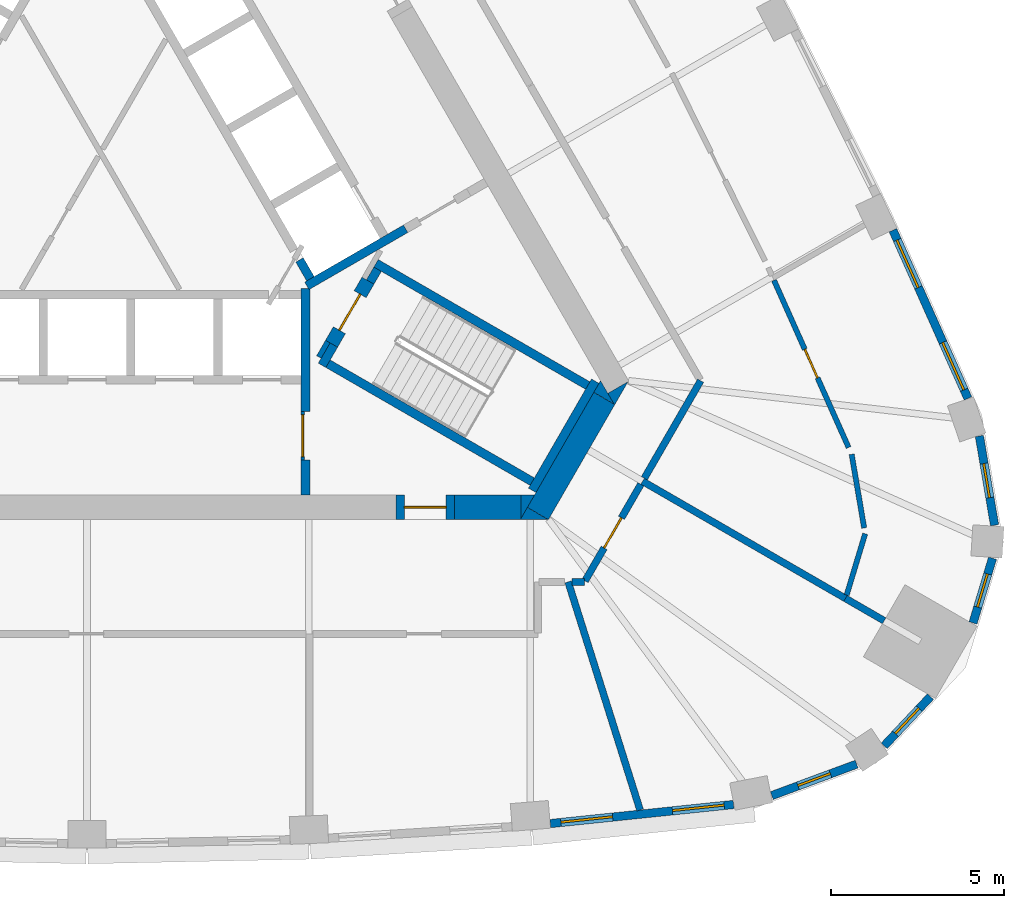
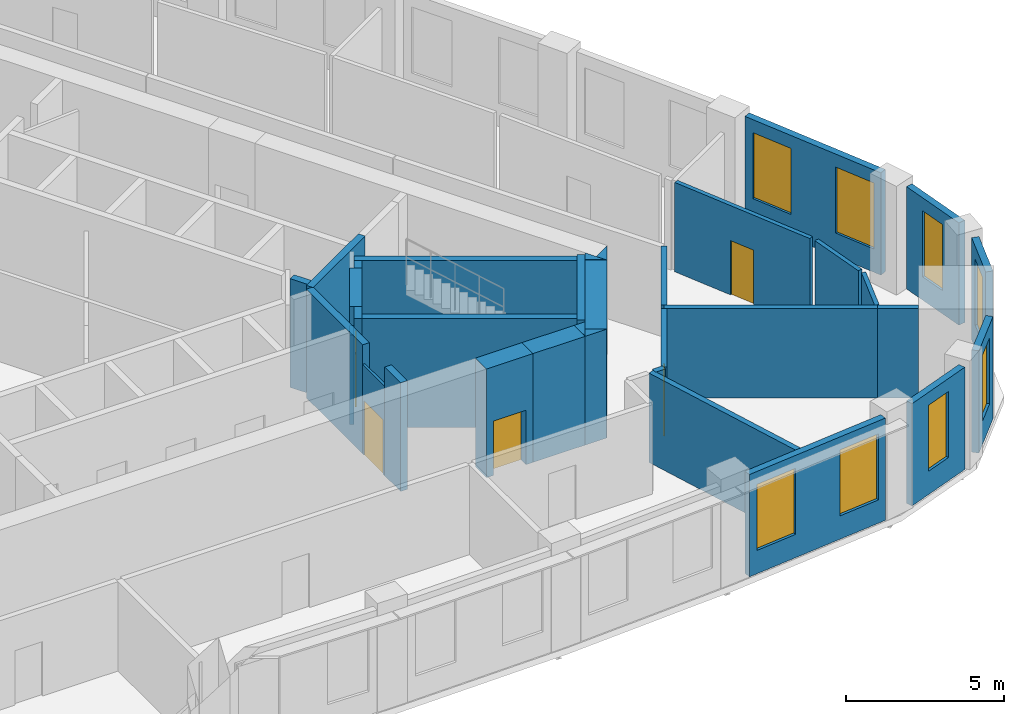
# One storey, part 6 of 11: 34 walls, 8 windows, 5 doors, 13 openings.
"""IFC4 building model written with IfcOpenShell, lengths in metres."""

from ifc_helpers import new_model, si_unit, direction, frame, frame_2d, origin, place, context, subcontext, project, spatial, polyline, rectangle, outline, extrude, material, layer, layer_set, type_object, element, fill, save


model = new_model("IFC4")

# Units and contexts
model_context = context("Model", 3, precision=1e-05, world=origin(), true_north=direction((0.0, 1.0)))
body_context = subcontext(model_context, "Body", "Model", "MODEL_VIEW")
ifc_project = project(units=[si_unit("LENGTHUNIT", "METRE"), si_unit("AREAUNIT", "SQUARE_METRE"), si_unit("VOLUMEUNIT", "CUBIC_METRE"), si_unit("PLANEANGLEUNIT", "RADIAN"), si_unit("MASSUNIT", "GRAM", prefix="KILO")], contexts=[model_context])

# Site, building, storey
site_placement = place(None, origin())
site = spatial("IfcSite", under=ifc_project, at=site_placement, CompositionType="ELEMENT")
building_placement = place(site_placement, origin())
building = spatial("IfcBuilding", under=site, at=building_placement, Name="Mestral Congress Tower", CompositionType="ELEMENT")
storey_placement = place(building_placement, frame((0.0, 0.0, 201.60009765625)))
storey = spatial("IfcBuildingStorey", under=building, at=storey_placement, Name="L47", CompositionType="ELEMENT", Elevation=201.60009765625)

# Wall
ifc_material_1 = material(Name="Fire-rated board partition")
ifc_layer_1 = layer(ifc_material_1, 0.14990234375)
ifc_layer_set_1 = layer_set([ifc_layer_1], Name="Fire-rated board partition")
wall_type_1 = type_object("IfcWallType", Name="Core partition 150", PredefinedType="PARTITIONING", material=ifc_layer_set_1)
wall_1_placement = place(storey_placement, frame((6.94482421875, -5.22216796875, 0.0), z_axis=(0.0, 0.0, 1.0), x_axis=(-0.499818422106, -0.866130212453, 0.0)))
element("IfcWall", 1, at=wall_1_placement, inside=storey, type_object=wall_type_1, Name="L47 core wall", PredefinedType="PARTITIONING", context=body_context, shape_type="SweptSolid", body=[
    extrude(rectangle(XDim=0.513916015625, YDim=0.14990234375, at=frame_2d((0.2568359375, 0.0))), origin(), (0.0, 0.0, 1.0), 3.449951171875),
])

# Wall, opening, door
ifc_layer_2 = layer(ifc_material_1, 0.090087890625)
ifc_layer_set_2 = layer_set([ifc_layer_2], Name="Fire-rated board partition")
wall_type_2 = type_object("IfcWallType", Name="Core partition 150 door-wall 90", PredefinedType="PARTITIONING", material=ifc_layer_set_2)
wall_2_placement = place(storey_placement, frame((6.219970703125, -7.23681640625, 0.0), z_axis=(0.0, 0.0, 1.0), x_axis=(0.0, -1.0, 0.0)))
wall_2 = element("IfcWall", 2, at=wall_2_placement, inside=storey, type_object=wall_type_2, Name="L47 door wall", PredefinedType="PARTITIONING", context=body_context, shape_type="SweptSolid", body=[
    extrude(rectangle(XDim=1.400146484375, YDim=0.090087890625, at=frame_2d((0.7001953125, 0.0))), origin(), (0.0, 0.0, 1.0), 3.449951171875),
])
opening_1_placement = place(wall_2_placement, frame((0.10009765625, 0.0, 0.0)))
opening_1 = element("IfcOpeningElement", 3, at=opening_1_placement, cuts=wall_2, Name="Opening LB0-WL1", PredefinedType="OPENING", context=body_context, shape_type="SweptSolid", body=[
    extrude(rectangle(XDim=1.199951171875, YDim=2.10009765625, at=frame_2d((0.60009765625, 1.050048828125))), frame((0.0, 0.054931640625, 0.0), z_axis=(0.0, -1.0, 0.0), x_axis=(1.0, 0.0, 0.0)), (0.0, 0.0, 1.0), 0.110107421875),
])
ifc_material_2 = material(Name="Fire-rated steel door set", Category="steel")
door_type_1 = type_object("IfcDoorType", Name="Core door LB 1200x2100", OperationType="SINGLE_SWING_LEFT", PredefinedType="DOOR", material=ifc_material_2)
door_1_placement = place(opening_1_placement, origin())
door_1 = element("IfcDoor", 4, at=door_1_placement, inside=storey, type_object=door_type_1, Name="Door LB0-WL1", OperationType="SINGLE_SWING_LEFT", OverallHeight=2.10009765625, OverallWidth=1.199951171875, PredefinedType="DOOR", context=body_context, shape_type="SweptSolid", body=[
    extrude(rectangle(XDim=1.199951171875, YDim=2.10009765625, at=frame_2d((0.60009765625, 1.050048828125))), frame((0.0, 0.02490234375, 0.0), z_axis=(0.0, -1.0, 0.0), x_axis=(1.0, 0.0, 0.0)), (0.0, 0.0, 1.0), 0.050048828125),
])
fill(opening_1, door_1)

# Walls
ifc_material_3 = material(Name="Concrete C60/75", Category="concrete")
ifc_layer_3 = layer(ifc_material_3, 0.699951171875)
ifc_layer_set_3 = layer_set([ifc_layer_3], Name="Concrete C60/75")
wall_type_3 = type_object("IfcWallType", Name="Core wall RC 700", PredefinedType="SOLIDWALL", material=ifc_layer_set_3)
placement = place(storey_placement, origin())
element("IfcWall", 5, at=placement, inside=storey, type_object=wall_type_3, Name="L47 core wall", PredefinedType="SOLIDWALL", context=body_context, shape_type="SweptSolid", body=[
    extrude(outline(polyline([(15.213134765625, -7.050048828125), (15.019287109375, -6.714111328125), (15.60107421875, -6.3779296875), (15.213134765625, -7.050048828125)])), origin(), (0.0, 0.0, 1.0), 4.199951171875),
])
wall_4_placement = place(storey_placement, frame((13.002685546875, -10.1787109375, 0.0), z_axis=(0.0, 0.0, 1.0), x_axis=(0.499972675833, 0.866041178825, 0.0)))
element("IfcWall", 6, at=wall_4_placement, inside=storey, type_object=wall_type_3, Name="L47 core wall", PredefinedType="SOLIDWALL", context=body_context, shape_type="SweptSolid", body=[
    extrude(rectangle(XDim=3.828857421875, YDim=0.699951171875, at=frame_2d((1.91455078125, 0.0))), origin(), (0.0, 0.0, 1.0), 4.199951171875),
])
element("IfcWall", 7, at=placement, inside=storey, type_object=wall_type_3, Name="L47 core wall", PredefinedType="SOLIDWALL", context=body_context, shape_type="SweptSolid", body=[
    extrude(outline(polyline([(12.49951171875, -10.35009765625), (12.698486328125, -10.00537109375), (13.295654296875, -10.35009765625), (12.49951171875, -10.35009765625)])), origin(), (0.0, 0.0, 1.0), 4.199951171875),
])
element("IfcWall", 8, at=placement, inside=storey, type_object=wall_type_3, Name="L47 core wall", PredefinedType="SOLIDWALL", context=body_context, shape_type="SweptSolid", body=[
    extrude(outline(polyline([(14.80908203125, -6.35009765625), (15.197265625, -7.022216796875), (14.614990234375, -6.68603515625), (14.80908203125, -6.35009765625)])), origin(), (0.0, 0.0, 1.0), 4.199951171875),
])
wall_7_placement = place(storey_placement, frame((10.6044921875, -10.0, 0.0), z_axis=(0.0, 0.0, 1.0), x_axis=(1.0, 0.0, 0.0)))
element("IfcWall", 9, at=wall_7_placement, inside=storey, type_object=wall_type_3, Name="L47 core wall", PredefinedType="SOLIDWALL", context=body_context, shape_type="SweptSolid", body=[
    extrude(rectangle(XDim=1.909423828125, YDim=0.699951171875, at=frame_2d((0.95458984375, 0.0))), origin(), (0.0, 0.0, 1.0), 4.199951171875),
])
element("IfcWall", 10, at=placement, inside=storey, type_object=wall_type_3, Name="L47 core wall", PredefinedType="SOLIDWALL", context=body_context, shape_type="SweptSolid", body=[
    extrude(outline(polyline([(12.90380859375, -9.64990234375), (12.515869140625, -10.322021484375), (12.515869140625, -9.64990234375), (12.90380859375, -9.64990234375)])), origin(), (0.0, 0.0, 1.0), 4.199951171875),
])

# Wall, opening, door
wall_9_placement = place(storey_placement, frame((10.6044921875, -10.0, 0.0), z_axis=(0.0, 0.0, 1.0), x_axis=(-1.0, 0.0, 0.0)))
wall_9 = element("IfcWall", 11, at=wall_9_placement, inside=storey, type_object=wall_type_3, Name="L47 door wall", PredefinedType="SOLIDWALL", context=body_context, shape_type="SweptSolid", body=[
    extrude(rectangle(XDim=1.699951171875, YDim=0.699951171875, at=frame_2d((0.85009765625, 0.0))), origin(), (0.0, 0.0, 1.0), 4.199951171875),
])
opening_2_placement = place(wall_9_placement, frame((0.25, 0.0, 0.0)))
opening_2 = element("IfcOpeningElement", 12, at=opening_2_placement, cuts=wall_9, Name="Opening XD1", PredefinedType="OPENING", context=body_context, shape_type="SweptSolid", body=[
    extrude(rectangle(XDim=1.199951171875, YDim=2.10009765625, at=frame_2d((0.60009765625, 1.050048828125))), frame((0.0, 0.35986328125, 0.0), z_axis=(0.0, -1.0, 0.0), x_axis=(1.0, 0.0, 0.0)), (0.0, 0.0, 1.0), 0.719970703125),
])
door_type_2 = type_object("IfcDoorType", Name="Core door XD 1200x2100", OperationType="SINGLE_SWING_LEFT", PredefinedType="DOOR", material=ifc_material_2)
door_2_placement = place(opening_2_placement, origin())
door_2 = element("IfcDoor", 13, at=door_2_placement, inside=storey, type_object=door_type_2, Name="Door XD1", OperationType="SINGLE_SWING_LEFT", OverallHeight=2.10009765625, OverallWidth=1.199951171875, PredefinedType="DOOR", context=body_context, shape_type="SweptSolid", body=[
    extrude(rectangle(XDim=1.199951171875, YDim=2.10009765625, at=frame_2d((0.60009765625, 1.050048828125))), frame((0.0, 0.02490234375, 0.0), z_axis=(0.0, -1.0, 0.0), x_axis=(1.0, 0.0, 0.0)), (0.0, 0.0, 1.0), 0.050048828125),
])
fill(opening_2, door_2)

# Wall, openings, windows
ifc_material_4 = material(Name="Precast concrete C40/50 with limestone facing", Category="masonry")
ifc_layer_4 = layer(ifc_material_4, 0.239990234375)
ifc_layer_set_4 = layer_set([ifc_layer_4], Name="Precast concrete C40/50 with limestone facing")
wall_type_4 = type_object("IfcWallType", Name="Facade stone wall 240", PredefinedType="SOLIDWALL", material=ifc_layer_set_4)
wall_10_placement = place(storey_placement, frame((13.362060546875, -19.12109375, 0.0), z_axis=(0.0, 0.0, 1.0), x_axis=(0.994621961215, 0.103571976272, 0.0)))
wall_10 = element("IfcWall", 14, at=wall_10_placement, inside=storey, type_object=wall_type_4, Name="Facade wall F0-05", PredefinedType="SOLIDWALL", context=body_context, shape_type="SweptSolid", body=[
    extrude(rectangle(XDim=5.310791015625, YDim=0.239990234375, at=frame_2d((2.6552734375, 0.0))), origin(), (0.0, 0.0, 1.0), 3.949951171875),
])
opening_3_placement = place(wall_10_placement, frame((0.306396484375, 0.0, 0.89990234375)))
opening_3 = element("IfcOpeningElement", 15, at=opening_3_placement, cuts=wall_10, Name="Opening W4", PredefinedType="OPENING", context=body_context, shape_type="SweptSolid", body=[
    extrude(rectangle(XDim=1.5, YDim=2.550048828125, at=frame_2d((0.75, 1.27490234375))), frame((0.0, 0.1298828125, 0.0), z_axis=(0.0, -1.0, 0.0), x_axis=(1.0, 0.0, 0.0)), (0.0, 0.0, 1.0), 0.260009765625),
])
opening_4_placement = place(wall_10_placement, frame((3.539306640625, 0.0, 0.89990234375)))
opening_4 = element("IfcOpeningElement", 16, at=opening_4_placement, cuts=wall_10, Name="Opening W4", PredefinedType="OPENING", context=body_context, shape_type="SweptSolid", body=[
    extrude(rectangle(XDim=1.5, YDim=2.550048828125, at=frame_2d((0.75, 1.27490234375))), frame((0.0, 0.1298828125, 0.0), z_axis=(0.0, -1.0, 0.0), x_axis=(1.0, 0.0, 0.0)), (0.0, 0.0, 1.0), 0.260009765625),
])
ifc_material_5 = material(Name="Clear low-emissivity double glazing", Category="glass")
window_type_1 = type_object("IfcWindowType", Name="Facade punched window 1500 x 2550 sill 900", PartitioningType="SINGLE_PANEL", PredefinedType="WINDOW", material=ifc_material_5)
window_1_placement = place(opening_3_placement, origin())
window_1 = element("IfcWindow", 17, at=window_1_placement, inside=storey, type_object=window_type_1, Name="Window F0-05a", OverallHeight=2.550048828125, OverallWidth=1.5, PartitioningType="SINGLE_PANEL", PredefinedType="WINDOW", context=body_context, shape_type="SweptSolid", body=[
    extrude(rectangle(XDim=1.5, YDim=2.550048828125, at=frame_2d((0.75, 1.27490234375))), frame((0.0, 0.0400390625, 0.0), z_axis=(0.0, -1.0, 0.0), x_axis=(1.0, 0.0, 0.0)), (0.0, 0.0, 1.0), 0.06005859375),
])
fill(opening_3, window_1)
window_2_placement = place(opening_4_placement, origin())
window_2 = element("IfcWindow", 18, at=window_2_placement, inside=storey, type_object=window_type_1, Name="Window F0-05b", OverallHeight=2.550048828125, OverallWidth=1.5, PartitioningType="SINGLE_PANEL", PredefinedType="WINDOW", context=body_context, shape_type="SweptSolid", body=[
    extrude(rectangle(XDim=1.5, YDim=2.550048828125, at=frame_2d((0.75, 1.27490234375))), frame((0.0, 0.0400390625, 0.0), z_axis=(0.0, -1.0, 0.0), x_axis=(1.0, 0.0, 0.0)), (0.0, 0.0, 1.0), 0.06005859375),
])
fill(opening_4, window_2)

# Wall, opening, window
wall_11_placement = place(storey_placement, frame((19.747802734375, -18.31396484375, 0.0), z_axis=(0.0, 0.0, 1.0), x_axis=(0.937569171184, 0.347798863203, 0.0)))
wall_11 = element("IfcWall", 19, at=wall_11_placement, inside=storey, type_object=wall_type_4, Name="Facade wall K0-0", PredefinedType="SOLIDWALL", context=body_context, shape_type="SweptSolid", body=[
    extrude(rectangle(XDim=2.609130859375, YDim=0.239990234375, at=frame_2d((1.3046875, 0.0))), origin(), (0.0, 0.0, 1.0), 3.949951171875),
])
opening_5_placement = place(wall_11_placement, frame((0.8046875, 0.0, 0.89990234375)))
opening_5 = element("IfcOpeningElement", 20, at=opening_5_placement, cuts=wall_11, Name="Opening W5", PredefinedType="OPENING", context=body_context, shape_type="SweptSolid", body=[
    extrude(rectangle(XDim=1.0, YDim=2.550048828125, at=frame_2d((0.5, 1.27490234375))), frame((0.0, 0.1298828125, 0.0), z_axis=(0.0, -1.0, 0.0), x_axis=(1.0, 0.0, 0.0)), (0.0, 0.0, 1.0), 0.260009765625),
])
window_type_2 = type_object("IfcWindowType", Name="Facade punched window 1000 x 2550 sill 900", PartitioningType="SINGLE_PANEL", PredefinedType="WINDOW", material=ifc_material_5)
window_3_placement = place(opening_5_placement, origin())
window_3 = element("IfcWindow", 21, at=window_3_placement, inside=storey, type_object=window_type_2, Name="Window K0-0", OverallHeight=2.550048828125, OverallWidth=1.0, PartitioningType="SINGLE_PANEL", PredefinedType="WINDOW", context=body_context, shape_type="SweptSolid", body=[
    extrude(rectangle(XDim=1.0, YDim=2.550048828125, at=frame_2d((0.5, 1.27490234375))), frame((0.0, 0.0400390625, 0.0), z_axis=(0.0, -1.0, 0.0), x_axis=(1.0, 0.0, 0.0)), (0.0, 0.0, 1.0), 0.06005859375),
])
fill(opening_5, window_3)

wall_12_placement = place(storey_placement, frame((22.989013671875, -16.87890625, 0.0), z_axis=(0.0, 0.0, 1.0), x_axis=(0.684770274166, 0.728758994194, 0.0)))
wall_12 = element("IfcWall", 22, at=wall_12_placement, inside=storey, type_object=wall_type_4, Name="Facade wall K0-1", PredefinedType="SOLIDWALL", context=body_context, shape_type="SweptSolid", body=[
    extrude(rectangle(XDim=1.947998046875, YDim=0.239990234375, at=frame_2d((0.97412109375, 0.0))), origin(), (0.0, 0.0, 1.0), 3.949951171875),
])
opening_6_placement = place(wall_12_placement, frame((0.47412109375, 0.0, 0.89990234375)))
opening_6 = element("IfcOpeningElement", 23, at=opening_6_placement, cuts=wall_12, Name="Opening W5", PredefinedType="OPENING", context=body_context, shape_type="SweptSolid", body=[
    extrude(rectangle(XDim=1.0, YDim=2.550048828125, at=frame_2d((0.5, 1.27490234375))), frame((0.0, 0.1298828125, 0.0), z_axis=(0.0, -1.0, 0.0), x_axis=(1.0, 0.0, 0.0)), (0.0, 0.0, 1.0), 0.260009765625),
])
window_4_placement = place(opening_6_placement, origin())
window_4 = element("IfcWindow", 24, at=window_4_placement, inside=storey, type_object=window_type_2, Name="Window K0-1", OverallHeight=2.550048828125, OverallWidth=1.0, PartitioningType="SINGLE_PANEL", PredefinedType="WINDOW", context=body_context, shape_type="SweptSolid", body=[
    extrude(rectangle(XDim=1.0, YDim=2.550048828125, at=frame_2d((0.5, 1.27490234375))), frame((0.0, 0.0400390625, 0.0), z_axis=(0.0, -1.0, 0.0), x_axis=(1.0, 0.0, 0.0)), (0.0, 0.0, 1.0), 0.06005859375),
])
fill(opening_6, window_4)

wall_13_placement = place(storey_placement, frame((25.5498046875, -13.334716796875, 0.0), z_axis=(0.0, 0.0, 1.0), x_axis=(0.288727209095, 0.957411405159, 0.0)))
wall_13 = element("IfcWall", 25, at=wall_13_placement, inside=storey, type_object=wall_type_4, Name="Facade wall K0-2", PredefinedType="SOLIDWALL", context=body_context, shape_type="SweptSolid", body=[
    extrude(rectangle(XDim=1.9482421875, YDim=0.239990234375, at=frame_2d((0.97412109375, 0.0))), origin(), (0.0, 0.0, 1.0), 3.949951171875),
])
opening_7_placement = place(wall_13_placement, frame((0.47412109375, 0.0, 0.89990234375)))
opening_7 = element("IfcOpeningElement", 26, at=opening_7_placement, cuts=wall_13, Name="Opening W5", PredefinedType="OPENING", context=body_context, shape_type="SweptSolid", body=[
    extrude(rectangle(XDim=1.0, YDim=2.550048828125, at=frame_2d((0.5, 1.27490234375))), frame((0.0, 0.1298828125, 0.0), z_axis=(0.0, -1.0, 0.0), x_axis=(1.0, 0.0, 0.0)), (0.0, 0.0, 1.0), 0.260009765625),
])
window_5_placement = place(opening_7_placement, origin())
window_5 = element("IfcWindow", 27, at=window_5_placement, inside=storey, type_object=window_type_2, Name="Window K0-2", OverallHeight=2.550048828125, OverallWidth=1.0, PartitioningType="SINGLE_PANEL", PredefinedType="WINDOW", context=body_context, shape_type="SweptSolid", body=[
    extrude(rectangle(XDim=1.0, YDim=2.550048828125, at=frame_2d((0.5, 1.27490234375))), frame((0.0, 0.0400390625, 0.0), z_axis=(0.0, -1.0, 0.0), x_axis=(1.0, 0.0, 0.0)), (0.0, 0.0, 1.0), 0.06005859375),
])
fill(opening_7, window_5)

wall_14_placement = place(storey_placement, frame((26.171630859375, -10.517333984375, 0.0), z_axis=(0.0, 0.0, 1.0), x_axis=(-0.167660055546, 0.985844869021, 0.0)))
wall_14 = element("IfcWall", 28, at=wall_14_placement, inside=storey, type_object=wall_type_4, Name="Facade wall K0-3", PredefinedType="SOLIDWALL", context=body_context, shape_type="SweptSolid", body=[
    extrude(rectangle(XDim=2.609375, YDim=0.239990234375, at=frame_2d((1.3046875, 0.0))), origin(), (0.0, 0.0, 1.0), 3.949951171875),
])
opening_8_placement = place(wall_14_placement, frame((0.8046875, 0.0, 0.89990234375)))
opening_8 = element("IfcOpeningElement", 29, at=opening_8_placement, cuts=wall_14, Name="Opening W5", PredefinedType="OPENING", context=body_context, shape_type="SweptSolid", body=[
    extrude(rectangle(XDim=1.0, YDim=2.550048828125, at=frame_2d((0.5, 1.27490234375))), frame((0.0, 0.1298828125, 0.0), z_axis=(0.0, -1.0, 0.0), x_axis=(1.0, 0.0, 0.0)), (0.0, 0.0, 1.0), 0.260009765625),
])
window_6_placement = place(opening_8_placement, origin())
window_6 = element("IfcWindow", 30, at=window_6_placement, inside=storey, type_object=window_type_2, Name="Window K0-3", OverallHeight=2.550048828125, OverallWidth=1.0, PartitioningType="SINGLE_PANEL", PredefinedType="WINDOW", context=body_context, shape_type="SweptSolid", body=[
    extrude(rectangle(XDim=1.0, YDim=2.550048828125, at=frame_2d((0.5, 1.27490234375))), frame((0.0, 0.0400390625, 0.0), z_axis=(0.0, -1.0, 0.0), x_axis=(1.0, 0.0, 0.0)), (0.0, 0.0, 1.0), 0.06005859375),
])
fill(opening_8, window_6)

# Wall, openings, windows
wall_15_placement = place(storey_placement, frame((25.405029296875, -6.86083984375, 0.0), z_axis=(0.0, 0.0, 1.0), x_axis=(-0.407579651789, 0.913169659728, 0.0)))
wall_15 = element("IfcWall", 31, at=wall_15_placement, inside=storey, type_object=wall_type_4, Name="Facade wall F1-00", PredefinedType="SOLIDWALL", context=body_context, shape_type="SweptSolid", body=[
    extrude(rectangle(XDim=5.310791015625, YDim=0.239990234375, at=frame_2d((2.6552734375, 0.0))), origin(), (0.0, 0.0, 1.0), 3.949951171875),
])
opening_9_placement = place(wall_15_placement, frame((0.271484375, 0.0, 0.89990234375)))
opening_9 = element("IfcOpeningElement", 32, at=opening_9_placement, cuts=wall_15, Name="Opening W4", PredefinedType="OPENING", context=body_context, shape_type="SweptSolid", body=[
    extrude(rectangle(XDim=1.5, YDim=2.550048828125, at=frame_2d((0.75, 1.27490234375))), frame((0.0, 0.1298828125, 0.0), z_axis=(0.0, -1.0, 0.0), x_axis=(1.0, 0.0, 0.0)), (0.0, 0.0, 1.0), 0.260009765625),
])
opening_10_placement = place(wall_15_placement, frame((3.50439453125, 0.0, 0.89990234375)))
opening_10 = element("IfcOpeningElement", 33, at=opening_10_placement, cuts=wall_15, Name="Opening W4", PredefinedType="OPENING", context=body_context, shape_type="SweptSolid", body=[
    extrude(rectangle(XDim=1.5, YDim=2.550048828125, at=frame_2d((0.75, 1.27490234375))), frame((0.0, 0.1298828125, 0.0), z_axis=(0.0, -1.0, 0.0), x_axis=(1.0, 0.0, 0.0)), (0.0, 0.0, 1.0), 0.260009765625),
])
window_7_placement = place(opening_9_placement, origin())
window_7 = element("IfcWindow", 34, at=window_7_placement, inside=storey, type_object=window_type_1, Name="Window F1-00a", OverallHeight=2.550048828125, OverallWidth=1.5, PartitioningType="SINGLE_PANEL", PredefinedType="WINDOW", context=body_context, shape_type="SweptSolid", body=[
    extrude(rectangle(XDim=1.5, YDim=2.550048828125, at=frame_2d((0.75, 1.27490234375))), frame((0.0, 0.0400390625, 0.0), z_axis=(0.0, -1.0, 0.0), x_axis=(1.0, 0.0, 0.0)), (0.0, 0.0, 1.0), 0.06005859375),
])
fill(opening_9, window_7)
window_8_placement = place(opening_10_placement, origin())
window_8 = element("IfcWindow", 35, at=window_8_placement, inside=storey, type_object=window_type_1, Name="Window F1-00b", OverallHeight=2.550048828125, OverallWidth=1.5, PartitioningType="SINGLE_PANEL", PredefinedType="WINDOW", context=body_context, shape_type="SweptSolid", body=[
    extrude(rectangle(XDim=1.5, YDim=2.550048828125, at=frame_2d((0.75, 1.27490234375))), frame((0.0, 0.0400390625, 0.0), z_axis=(0.0, -1.0, 0.0), x_axis=(1.0, 0.0, 0.0)), (0.0, 0.0, 1.0), 0.06005859375),
])
fill(opening_10, window_8)

# Walls
ifc_material_6 = material(Name="Plasterboard partition on steel studs", Category="steel")
ifc_layer_5 = layer(ifc_material_6, 0.14990234375)
ifc_layer_set_5 = layer_set([ifc_layer_5], Name="Plasterboard partition on steel studs")
wall_type_5 = type_object("IfcWallType", Name="Office partition 150", PredefinedType="PARTITIONING", material=ifc_layer_set_5)
wall_16_placement = place(storey_placement, frame((21.90625, -12.531982421875, 0.0), z_axis=(0.0, 0.0, 1.0), x_axis=(0.288789848591, 0.957392512688, 0.0)))
element("IfcWall", 36, at=wall_16_placement, inside=storey, type_object=wall_type_5, Name="Partition", PredefinedType="PARTITIONING", context=body_context, shape_type="SweptSolid", body=[
    extrude(rectangle(XDim=1.84814453125, YDim=0.14990234375, at=frame_2d((0.924072265625, 0.0))), origin(), (0.0, 0.0, 1.0), 3.449951171875),
])
wall_17_placement = place(storey_placement, frame((22.41162109375, -10.5966796875, 0.0), z_axis=(0.0, 0.0, 1.0), x_axis=(-0.167612004459, 0.985853039738, 0.0)))
element("IfcWall", 37, at=wall_17_placement, inside=storey, type_object=wall_type_5, Name="Partition", PredefinedType="PARTITIONING", context=body_context, shape_type="SweptSolid", body=[
    extrude(rectangle(XDim=2.15576171875, YDim=0.14990234375, at=frame_2d((1.077880859375, 0.0))), origin(), (0.0, 0.0, 1.0), 3.449951171875),
])

# Wall, opening, door
wall_18_placement = place(storey_placement, frame((19.81103515625, -3.455078125, 0.0), z_axis=(0.0, 0.0, 1.0), x_axis=(0.407605393886, -0.913158169692, 0.0)))
wall_18 = element("IfcWall", 38, at=wall_18_placement, inside=storey, type_object=wall_type_5, Name="Partition", PredefinedType="PARTITIONING", context=body_context, shape_type="SweptSolid", body=[
    extrude(rectangle(XDim=5.279296875, YDim=0.14990234375, at=frame_2d((2.6396484375, 0.0))), origin(), (0.0, 0.0, 1.0), 3.449951171875),
])
opening_11_placement = place(wall_18_placement, frame((2.179443359375, 0.0, 0.0)))
opening_11 = element("IfcOpeningElement", 39, at=opening_11_placement, cuts=wall_18, Name="Opening O06-005", PredefinedType="OPENING", context=body_context, shape_type="SweptSolid", body=[
    extrude(rectangle(XDim=0.89990234375, YDim=2.10009765625, at=frame_2d((0.449951171875, 1.050048828125))), frame((0.0, 0.0849609375, 0.0), z_axis=(0.0, -1.0, 0.0), x_axis=(1.0, 0.0, 0.0)), (0.0, 0.0, 1.0), 0.169921875),
])
ifc_material_7 = material(Name="Timber door set", Category="wood")
door_type_3 = type_object("IfcDoorType", Name="Office door 900x2100", OperationType="SINGLE_SWING_LEFT", PredefinedType="DOOR", material=ifc_material_7)
door_3_placement = place(opening_11_placement, origin())
door_3 = element("IfcDoor", 40, at=door_3_placement, inside=storey, type_object=door_type_3, Name="Door O06-005", OperationType="SINGLE_SWING_LEFT", OverallHeight=2.10009765625, OverallWidth=0.89990234375, PredefinedType="DOOR", context=body_context, shape_type="SweptSolid", body=[
    extrude(rectangle(XDim=0.89990234375, YDim=2.10009765625, at=frame_2d((0.449951171875, 1.050048828125))), frame((0.0, 0.02490234375, 0.0), z_axis=(0.0, -1.0, 0.0), x_axis=(1.0, 0.0, 0.0)), (0.0, 0.0, 1.0), 0.050048828125),
])
fill(opening_11, door_3)

# Walls
ifc_material_8 = material(Name="Dense masonry wall, plastered", Category="masonry")
ifc_layer_6 = layer(ifc_material_8, 0.199951171875)
ifc_layer_set_6 = layer_set([ifc_layer_6], Name="Dense masonry wall, plastered")
wall_type_6 = type_object("IfcWallType", Name="Office tenancy wall 200", PredefinedType="PARTITIONING", material=ifc_layer_set_6)
wall_19_placement = place(storey_placement, frame((13.875244140625, -12.14990234375, 0.0), z_axis=(0.0, 0.0, 1.0), x_axis=(0.3005606746, -0.953762696316, 0.0)))
element("IfcWall", 41, at=wall_19_placement, inside=storey, type_object=wall_type_6, Name="Tenancy wall", PredefinedType="PARTITIONING", context=body_context, shape_type="SweptSolid", body=[
    extrude(rectangle(XDim=6.900390625, YDim=0.199951171875, at=frame_2d((3.4501953125, 0.0))), origin(), (0.0, 0.0, 1.0), 3.449951171875),
])
wall_20_placement = place(storey_placement, frame((21.873046875, -12.62841796875, 0.0), z_axis=(0.0, 0.0, 1.0), x_axis=(0.866052988967, -0.499952218018, 0.0)))
element("IfcWall", 42, at=wall_20_placement, inside=storey, type_object=wall_type_6, Name="Tenancy wall", PredefinedType="PARTITIONING", context=body_context, shape_type="SweptSolid", body=[
    extrude(rectangle(XDim=1.287841796875, YDim=0.199951171875, at=frame_2d((0.64404296875, 0.0))), origin(), (0.0, 0.0, 1.0), 3.449951171875),
])
wall_21_placement = place(storey_placement, frame((16.021484375, -9.25, 0.0), z_axis=(0.0, 0.0, 1.0), x_axis=(0.86602692059, -0.499997372806, 0.0)))
element("IfcWall", 43, at=wall_21_placement, inside=storey, type_object=wall_type_6, Name="Tenancy wall", PredefinedType="PARTITIONING", context=body_context, shape_type="SweptSolid", body=[
    extrude(rectangle(XDim=6.7646484375, YDim=0.199951171875, at=frame_2d((3.38232421875, 0.0))), origin(), (0.0, 0.0, 1.0), 3.449951171875),
])
wall_22_placement = place(storey_placement, frame((13.97998046875, -12.14990234375, 0.0), z_axis=(0.0, 0.0, 1.0), x_axis=(1.0, 0.0, 0.0)))
element("IfcWall", 44, at=wall_22_placement, inside=storey, type_object=wall_type_6, Name="Tenancy wall", PredefinedType="PARTITIONING", context=body_context, shape_type="SweptSolid", body=[
    extrude(rectangle(XDim=0.3671875, YDim=0.199951171875, at=frame_2d((0.18359375, 0.0))), origin(), (0.0, 0.0, 1.0), 3.449951171875),
])

# Wall, opening, door
wall_23_placement = place(storey_placement, frame((14.362060546875, -12.1240234375, 0.0), z_axis=(0.0, 0.0, 1.0), x_axis=(0.500022299258, 0.866012528919, 0.0)))
wall_23 = element("IfcWall", 45, at=wall_23_placement, inside=storey, type_object=wall_type_6, Name="Tenancy wall", PredefinedType="PARTITIONING", context=body_context, shape_type="SweptSolid", body=[
    extrude(rectangle(XDim=3.218505859375, YDim=0.199951171875, at=frame_2d((1.609375, 0.0))), origin(), (0.0, 0.0, 1.0), 3.449951171875),
])
opening_12_placement = place(wall_23_placement, frame((1.10009765625, 0.0, 0.0)))
opening_12 = element("IfcOpeningElement", 46, at=opening_12_placement, cuts=wall_23, Name="Opening O06-004", PredefinedType="OPENING", context=body_context, shape_type="SweptSolid", body=[
    extrude(rectangle(XDim=1.0, YDim=2.10009765625, at=frame_2d((0.5, 1.050048828125))), frame((0.0, 0.10986328125, 0.0), z_axis=(0.0, -1.0, 0.0), x_axis=(1.0, 0.0, 0.0)), (0.0, 0.0, 1.0), 0.219970703125),
])
ifc_material_9 = material(Name="Fire-rated timber door set", Category="wood")
door_type_4 = type_object("IfcDoorType", Name="Office tenancy entrance door 1000x2100", OperationType="SINGLE_SWING_LEFT", PredefinedType="DOOR", material=ifc_material_9)
door_4_placement = place(opening_12_placement, origin())
door_4 = element("IfcDoor", 47, at=door_4_placement, inside=storey, type_object=door_type_4, Name="Door O06-004", OperationType="SINGLE_SWING_LEFT", OverallHeight=2.10009765625, OverallWidth=1.0, PredefinedType="DOOR", context=body_context, shape_type="SweptSolid", body=[
    extrude(rectangle(XDim=1.0, YDim=2.10009765625, at=frame_2d((0.5, 1.050048828125))), frame((0.0, 0.02490234375, 0.0), z_axis=(0.0, -1.0, 0.0), x_axis=(1.0, 0.0, 0.0)), (0.0, 0.0, 1.0), 0.050048828125),
])
fill(opening_12, door_4)

# Walls
wall_24_placement = place(storey_placement, frame((16.071533203125, -9.163330078125, 0.0), z_axis=(0.0, 0.0, 1.0), x_axis=(0.500010870188, 0.866019127788, 0.0)))
element("IfcWall", 48, at=wall_24_placement, inside=storey, type_object=wall_type_6, Name="Tenancy wall", PredefinedType="PARTITIONING", context=body_context, shape_type="SweptSolid", body=[
    extrude(rectangle(XDim=3.24853515625, YDim=0.199951171875, at=frame_2d((1.624267578125, 0.0))), origin(), (0.0, 0.0, 1.0), 3.449951171875),
])
ifc_layer_7 = layer(ifc_material_3, 0.25)
ifc_layer_set_7 = layer_set([ifc_layer_7], Name="Concrete C60/75")
wall_type_7 = type_object("IfcWallType", Name="Shaft wall RC 250", PredefinedType="SOLIDWALL", material=ifc_layer_set_7)
wall_25_placement = place(storey_placement, frame((6.300048828125, -7.239990234375, 0.0), z_axis=(0.0, 0.0, 1.0), x_axis=(0.0, 1.0, 0.0)))
element("IfcWall", 49, at=wall_25_placement, inside=storey, type_object=wall_type_7, Name="L47 core wall", PredefinedType="SOLIDWALL", context=body_context, shape_type="SweptSolid", body=[
    extrude(rectangle(XDim=3.55615234375, YDim=0.25, at=frame_2d((1.778076171875, 0.0))), origin(), (0.0, 0.0, 1.0), 4.199951171875),
])
wall_26_placement = place(storey_placement, frame((6.300048828125, -9.64990234375, 0.0), z_axis=(0.0, 0.0, 1.0), x_axis=(0.0, 1.0, 0.0)))
element("IfcWall", 50, at=wall_26_placement, inside=storey, type_object=wall_type_7, Name="L47 core wall", PredefinedType="SOLIDWALL", context=body_context, shape_type="SweptSolid", body=[
    extrude(rectangle(XDim=1.0078125, YDim=0.25, at=frame_2d((0.50390625, 0.0))), origin(), (0.0, 0.0, 1.0), 4.199951171875),
])
wall_27_placement = place(storey_placement, frame((9.190185546875, -1.96875, 0.0), z_axis=(0.0, 0.0, 1.0), x_axis=(-0.866057109641, -0.499945079824, 0.0)))
element("IfcWall", 51, at=wall_27_placement, inside=storey, type_object=wall_type_7, Name="L47 core wall", PredefinedType="SOLIDWALL", context=body_context, shape_type="SweptSolid", body=[
    extrude(rectangle(XDim=3.290771484375, YDim=0.25, at=frame_2d((1.6455078125, 0.0))), origin(), (0.0, 0.0, 1.0), 4.199951171875),
])
wall_28_placement = place(storey_placement, frame((6.1298828125, -2.867431640625, 0.0), z_axis=(0.0, 0.0, 1.0), x_axis=(0.500160776593, -0.865932559475, 0.0)))
element("IfcWall", 52, at=wall_28_placement, inside=storey, type_object=wall_type_7, Name="L47 core wall", PredefinedType="SOLIDWALL", context=body_context, shape_type="SweptSolid", body=[
    extrude(rectangle(XDim=0.626708984375, YDim=0.25, at=frame_2d((0.3134765625, 0.0))), origin(), (0.0, 0.0, 1.0), 4.199951171875),
])
ifc_layer_8 = layer(ifc_material_3, 0.25)
ifc_layer_set_8 = layer_set([ifc_layer_8], Name="Concrete C60/75")
wall_type_8 = type_object("IfcWallType", Name="Stair wall RC 250", PredefinedType="SOLIDWALL", material=ifc_layer_set_8)
wall_29_placement = place(storey_placement, frame((12.839599609375, -9.510986328125, 0.0), z_axis=(0.0, 0.0, 1.0), x_axis=(0.500048121057, 0.865997619297, 0.0)))
element("IfcWall", 53, at=wall_29_placement, inside=storey, type_object=wall_type_8, Name="L47 core wall", PredefinedType="SOLIDWALL", context=body_context, shape_type="SweptSolid", body=[
    extrude(rectangle(XDim=3.634033203125, YDim=0.25, at=frame_2d((1.81689453125, 0.0))), origin(), (0.0, 0.0, 1.0), 4.199951171875),
])
wall_30_placement = place(storey_placement, frame((12.83984375, -9.2607421875, 0.0), z_axis=(0.0, 0.0, 1.0), x_axis=(-0.866013990052, 0.500019768644, 0.0)))
element("IfcWall", 54, at=wall_30_placement, inside=storey, type_object=wall_type_8, Name="L47 core wall", PredefinedType="SOLIDWALL", context=body_context, shape_type="SweptSolid", body=[
    extrude(rectangle(XDim=6.800048828125, YDim=0.25, at=frame_2d((3.39990234375, 0.0))), origin(), (0.0, 0.0, 1.0), 4.199951171875),
])
wall_31_placement = place(storey_placement, frame((6.780029296875, -5.906494140625, 0.0), z_axis=(0.0, 0.0, 1.0), x_axis=(0.500223362819, 0.865896406789, 0.0)))
element("IfcWall", 55, at=wall_31_placement, inside=storey, type_object=wall_type_8, Name="L47 core wall", PredefinedType="SOLIDWALL", context=body_context, shape_type="SweptSolid", body=[
    extrude(rectangle(XDim=0.675048828125, YDim=0.25, at=frame_2d((0.33740234375, 0.0))), origin(), (0.0, 0.0, 1.0), 4.199951171875),
])
wall_32_placement = place(storey_placement, frame((8.33447265625, -2.96435546875, 0.0), z_axis=(0.0, 0.0, 1.0), x_axis=(0.866016039709, -0.500016218704, 0.0)))
element("IfcWall", 56, at=wall_32_placement, inside=storey, type_object=wall_type_8, Name="L47 core wall", PredefinedType="SOLIDWALL", context=body_context, shape_type="SweptSolid", body=[
    extrude(rectangle(XDim=7.050048828125, YDim=0.25, at=frame_2d((3.52490234375, 0.0))), origin(), (0.0, 0.0, 1.0), 4.199951171875),
])
wall_33_placement = place(storey_placement, frame((8.167724609375, -3.503173828125, 0.0), z_axis=(0.0, 0.0, 1.0), x_axis=(0.49972245349, 0.866185586049, 0.0)))
element("IfcWall", 57, at=wall_33_placement, inside=storey, type_object=wall_type_8, Name="L47 core wall", PredefinedType="SOLIDWALL", context=body_context, shape_type="SweptSolid", body=[
    extrude(rectangle(XDim=0.425048828125, YDim=0.25, at=frame_2d((0.21240234375, 0.0))), origin(), (0.0, 0.0, 1.0), 4.199951171875),
])

# Wall, opening, door
ifc_layer_9 = layer(ifc_material_3, 0.39990234375)
ifc_layer_set_9 = layer_set([ifc_layer_9], Name="Concrete C60/75")
wall_type_9 = type_object("IfcWallType", Name="Stair wall RC 250 door-wall 400", PredefinedType="SOLIDWALL", material=ifc_layer_set_9)
wall_34_placement = place(storey_placement, frame((7.052734375, -5.2841796875, 0.0), z_axis=(0.0, 0.0, 1.0), x_axis=(0.500078061341, 0.865980330357, 0.0)))
wall_34 = element("IfcWall", 58, at=wall_34_placement, inside=storey, type_object=wall_type_9, Name="L47 door wall", PredefinedType="SOLIDWALL", context=body_context, shape_type="SweptSolid", body=[
    extrude(rectangle(XDim=2.099853515625, YDim=0.39990234375, at=frame_2d((1.0498046875, 0.0))), origin(), (0.0, 0.0, 1.0), 4.199951171875),
])
opening_13_placement = place(wall_34_placement, frame((0.449951171875, 0.0, 0.0)))
opening_13 = element("IfcOpeningElement", 59, at=opening_13_placement, cuts=wall_34, Name="Opening ST-D1", PredefinedType="OPENING", context=body_context, shape_type="SweptSolid", body=[
    extrude(rectangle(XDim=1.199951171875, YDim=2.10009765625, at=frame_2d((0.60009765625, 1.050048828125))), frame((0.0, 0.2099609375, 0.0), z_axis=(0.0, -1.0, 0.0), x_axis=(1.0, 0.0, 0.0)), (0.0, 0.0, 1.0), 0.419921875),
])
door_type_5 = type_object("IfcDoorType", Name="Core door ST 1200x2100", OperationType="SINGLE_SWING_LEFT", PredefinedType="DOOR", material=ifc_material_2)
door_5_placement = place(opening_13_placement, origin())
door_5 = element("IfcDoor", 60, at=door_5_placement, inside=storey, type_object=door_type_5, Name="Door ST-D1", OperationType="SINGLE_SWING_LEFT", OverallHeight=2.10009765625, OverallWidth=1.199951171875, PredefinedType="DOOR", context=body_context, shape_type="SweptSolid", body=[
    extrude(rectangle(XDim=1.199951171875, YDim=2.10009765625, at=frame_2d((0.60009765625, 1.050048828125))), frame((0.0, 0.02490234375, 0.0), z_axis=(0.0, -1.0, 0.0), x_axis=(1.0, 0.0, 0.0)), (0.0, 0.0, 1.0), 0.050048828125),
])
fill(opening_13, door_5)

save(model, "model.ifc")
